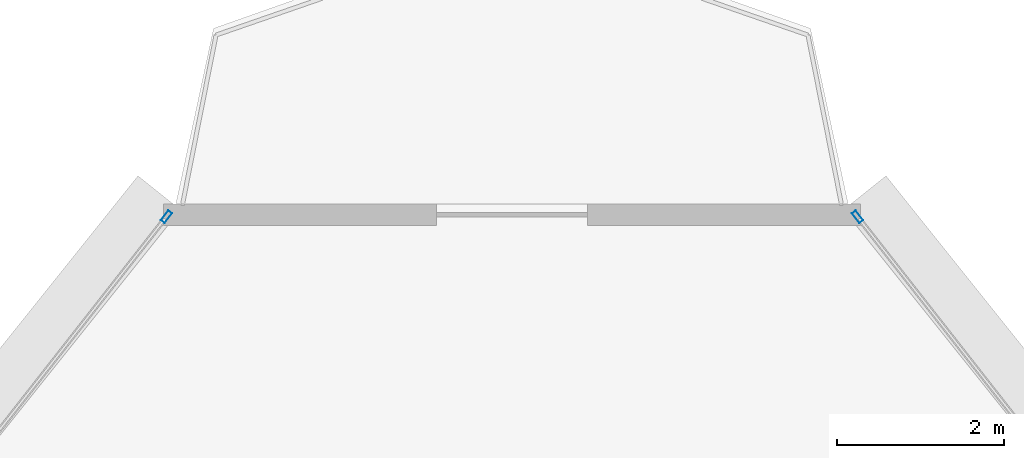
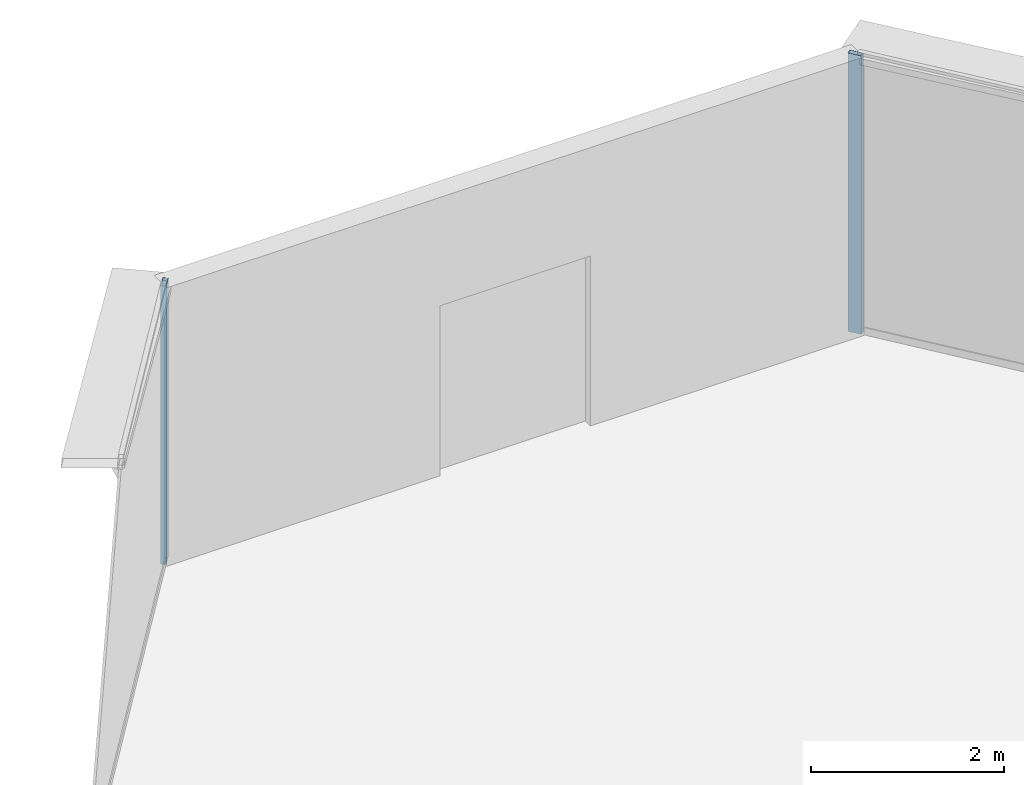
# One storey, part 26 of 36: 2 members, 2 elements without a shape of their own.
"""IFC4 building model written with IfcOpenShell, lengths in metres."""

from ifc_helpers import new_model, si_unit, direction, frame, origin, origin_2d, place, context, subcontext, project, spatial, hollow_rectangle, extrude, source, transform, mapped, material, layer, layer_set, material_profile, profile_set, type_object, element, aggregate, save


model = new_model("IFC4")

# Units and contexts
model_context = context("Model", 3, precision=1e-05, world=origin(), true_north=direction((0.0, 1.0)))
body_context = subcontext(model_context, "Body", "Model", "MODEL_VIEW")
ifc_project = project(units=[si_unit("LENGTHUNIT", "METRE"), si_unit("AREAUNIT", "SQUARE_METRE"), si_unit("VOLUMEUNIT", "CUBIC_METRE"), si_unit("PLANEANGLEUNIT", "RADIAN"), si_unit("MASSUNIT", "GRAM", prefix="KILO"), si_unit("THERMODYNAMICTEMPERATUREUNIT", "KELVIN"), si_unit("POWERUNIT", "WATT")], contexts=[model_context])

# Site, building, storey
site_placement = place(None, origin())
site = spatial("IfcSite", under=ifc_project, at=site_placement, CompositionType="ELEMENT")
building_placement = place(site_placement, origin())
building = spatial("IfcBuilding", under=site, at=building_placement, Name="Yunzhuo Pagoda Commons", CompositionType="ELEMENT")
storey_placement = place(building_placement, frame((0.0, 0.0, 215.159912109375)))
storey = spatial("IfcBuildingStorey", under=building, at=storey_placement, Name="L54", CompositionType="ELEMENT", Elevation=215.159912109375)

# Curtain wall, member
ifc_material = material(Name="Anodized aluminium 6063-T6", Category="aluminium")
ifc_layer = layer(ifc_material, 0.14990234375)
ifc_layer_set = layer_set([ifc_layer], Name="Anodized aluminium 6063-T6")
curtain_wall_type = type_object("IfcCurtainWallType", Name="CW-MID Mid-Zone Ribbon Curtain Wall", PredefinedType="NOTDEFINED", material=ifc_layer_set)
curtain_wall_1_placement = place(storey_placement, origin())
curtain_wall_1 = element("IfcCurtainWall", 1, at=curtain_wall_1_placement, inside=storey, type_object=curtain_wall_type, Name="L54 curtain wall CW-L54-F2B5", PredefinedType="NOTDEFINED")
ifc_material_profile = material_profile(ifc_material, hollow_rectangle(XDim=0.06005859375, YDim=0.14990234375, WallThickness=0.00390625, at=origin_2d()), Name="Anodized aluminium 6063-T6")
ifc_profile_set = profile_set([ifc_material_profile], Name="Anodized aluminium 6063-T6")
member_type = type_object("IfcMemberType", Name="CW-MID-M Mullion RHS 150x60x4", PredefinedType="MULLION", material=ifc_profile_set)
shared_shape = source(origin(), body_context, "Body", "SweptSolid", [
    extrude(hollow_rectangle(XDim=0.06005859375, YDim=0.14990234375, WallThickness=0.00390625, at=origin_2d()), origin(), (0.0, 0.0, 1.0), 3.52001953125),
])
member_1_placement = place(storey_placement, frame((52.133056640625, 82.31298828125, 0.0), z_axis=(0.0, 0.0, 1.0), x_axis=(-0.78725022787, -0.616633666547, 0.0)))
member_1 = element("IfcMember", 2, at=member_1_placement, type_object=member_type, Name="CW mullion 2", PredefinedType="MULLION", context=body_context, shape_type="MappedRepresentation", body=[
    mapped(shared_shape, transform((0.0, 0.0, 0.0), scale=1.0)),
])
aggregate(curtain_wall_1, [member_1])

curtain_wall_2_placement = place(storey_placement, origin())
curtain_wall_2 = element("IfcCurtainWall", 3, at=curtain_wall_2_placement, inside=storey, type_object=curtain_wall_type, Name="L54 curtain wall CW-L54-F3B1", PredefinedType="NOTDEFINED")
member_2_placement = place(storey_placement, frame((43.866943359375, 82.31298828125, 0.0), z_axis=(0.0, 0.0, 1.0), x_axis=(0.78725022787, -0.616633666547, 0.0)))
member_2 = element("IfcMember", 4, at=member_2_placement, type_object=member_type, Name="CW mullion 1", PredefinedType="MULLION", context=body_context, shape_type="MappedRepresentation", body=[
    mapped(shared_shape, transform((0.0, 0.0, 0.0), scale=1.0)),
])
aggregate(curtain_wall_2, [member_2])

save(model, "model.ifc")
